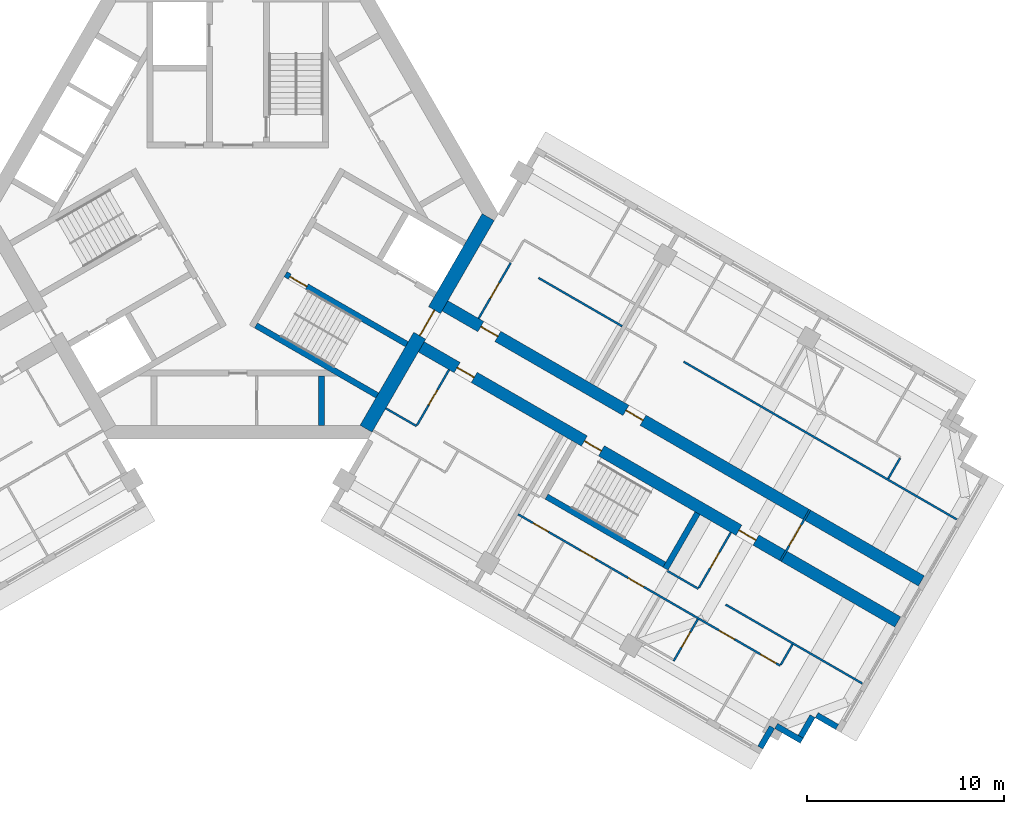
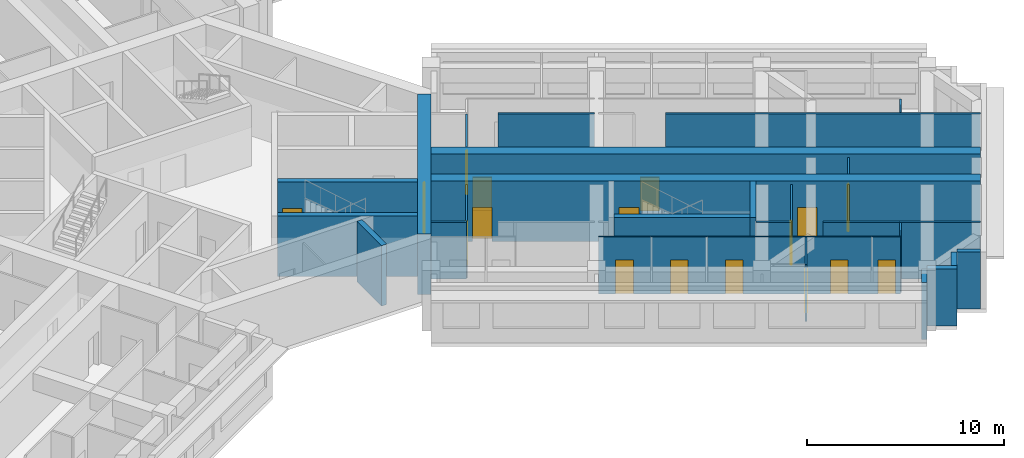
# One storey, part 5 of 11: 25 walls, 17 doors, 17 openings.
"""IFC4 building model written with IfcOpenShell, lengths in metres."""

from ifc_helpers import new_model, si_unit, direction, frame, frame_2d, origin, place, context, subcontext, project, spatial, rectangle, extrude, material, layer, layer_set, type_object, element, fill, save


model = new_model("IFC4")

# Units and contexts
model_context = context("Model", 3, precision=1e-05, world=origin(), true_north=direction((0.0, 1.0)))
body_context = subcontext(model_context, "Body", "Model", "MODEL_VIEW")
ifc_project = project(units=[si_unit("LENGTHUNIT", "METRE"), si_unit("AREAUNIT", "SQUARE_METRE"), si_unit("VOLUMEUNIT", "CUBIC_METRE"), si_unit("PLANEANGLEUNIT", "RADIAN"), si_unit("MASSUNIT", "GRAM", prefix="KILO")], contexts=[model_context])

# Site, building, storey
site_placement = place(None, origin())
site = spatial("IfcSite", under=ifc_project, at=site_placement, CompositionType="ELEMENT")
building_placement = place(site_placement, origin())
building = spatial("IfcBuilding", under=site, at=building_placement, Name="Impinga Residences", CompositionType="ELEMENT")
storey_placement = place(building_placement, frame((0.0, 0.0, 244.75)))
storey = spatial("IfcBuildingStorey", under=building, at=storey_placement, Name="L61", CompositionType="ELEMENT", Elevation=244.75)

# Wall, openings, doors
ifc_material_1 = material(Name="Concrete C60/75", Category="concrete")
ifc_layer_1 = layer(ifc_material_1, 0.60009765625)
ifc_layer_set_1 = layer_set([ifc_layer_1], Name="Concrete C60/75")
wall_type_1 = type_object("IfcWallType", Name="BW3 corridor buttress wall, L46 to L73 600", PredefinedType="SHEAR", material=ifc_layer_set_1)
wall_1_placement = place(storey_placement, frame((10.19677734375, -4.50146484375, 0.0), z_axis=(0.0, 0.0, 1.0), x_axis=(0.866026415941, -0.499998246889, 0.0)))
wall_1 = element("IfcWall", 1, at=wall_1_placement, inside=storey, type_object=wall_type_1, Name="Corridor wall BW3 EC L61", PredefinedType="SHEAR", context=body_context, shape_type="SweptSolid", body=[
    extrude(rectangle(XDim=28.25, YDim=0.60009765625, at=frame_2d((14.125, 0.0))), origin(), (0.0, 0.0, 1.0), 3.75),
])
opening_1_placement = place(wall_1_placement, frame((2.449951171875, 0.0, 0.0)))
opening_1 = element("IfcOpeningElement", 2, at=opening_1_placement, cuts=wall_1, Name="Opening D1", PredefinedType="OPENING", context=body_context, shape_type="SweptSolid", body=[
    extrude(rectangle(XDim=1.0, YDim=2.10009765625, at=frame_2d((0.5, 1.050048828125))), frame((0.0, 0.31005859375, 0.0), z_axis=(0.0, -1.0, 0.0), x_axis=(1.0, 0.0, 0.0)), (0.0, 0.0, 1.0), 0.6201171875),
])
opening_2_placement = place(wall_1_placement, frame((10.949951171875, 0.0, 0.0)))
opening_2 = element("IfcOpeningElement", 3, at=opening_2_placement, cuts=wall_1, Name="Opening D1", PredefinedType="OPENING", context=body_context, shape_type="SweptSolid", body=[
    extrude(rectangle(XDim=1.0, YDim=2.10009765625, at=frame_2d((0.5, 1.050048828125))), frame((0.0, 0.31005859375, 0.0), z_axis=(0.0, -1.0, 0.0), x_axis=(1.0, 0.0, 0.0)), (0.0, 0.0, 1.0), 0.6201171875),
])
ifc_material_2 = material(Name="Timber door set", Category="wood")
door_type_1 = type_object("IfcDoorType", Name="D1 apartment entrance door 1000x2100", OperationType="SINGLE_SWING_LEFT", PredefinedType="DOOR", material=ifc_material_2)
door_1_placement = place(opening_1_placement, origin())
door_1 = element("IfcDoor", 4, at=door_1_placement, inside=storey, type_object=door_type_1, Name="Apartment L61-EA1 entrance", OperationType="SINGLE_SWING_LEFT", OverallHeight=2.10009765625, OverallWidth=1.0, PredefinedType="DOOR", context=body_context, shape_type="SweptSolid", body=[
    extrude(rectangle(XDim=1.0, YDim=2.10009765625, at=frame_2d((0.5, 1.050048828125))), frame((0.0, 0.02490234375, 0.0), z_axis=(0.0, -1.0, 0.0), x_axis=(1.0, 0.0, 0.0)), (0.0, 0.0, 1.0), 0.050048828125),
])
fill(opening_1, door_1)
door_2_placement = place(opening_2_placement, origin())
door_2 = element("IfcDoor", 5, at=door_2_placement, inside=storey, type_object=door_type_1, Name="Apartment L61-EA2 entrance", OperationType="SINGLE_SWING_LEFT", OverallHeight=2.10009765625, OverallWidth=1.0, PredefinedType="DOOR", context=body_context, shape_type="SweptSolid", body=[
    extrude(rectangle(XDim=1.0, YDim=2.10009765625, at=frame_2d((0.5, 1.050048828125))), frame((0.0, 0.02490234375, 0.0), z_axis=(0.0, -1.0, 0.0), x_axis=(1.0, 0.0, 0.0)), (0.0, 0.0, 1.0), 0.050048828125),
])
fill(opening_2, door_2)

wall_2_placement = place(storey_placement, frame((8.996826171875, -6.580078125, 0.0), z_axis=(0.0, 0.0, 1.0), x_axis=(0.866026415941, -0.499998246889, 0.0)))
wall_2 = element("IfcWall", 6, at=wall_2_placement, inside=storey, type_object=wall_type_1, Name="Corridor wall BW3 ED L61", PredefinedType="SHEAR", context=body_context, shape_type="SweptSolid", body=[
    extrude(rectangle(XDim=28.25, YDim=0.60009765625, at=frame_2d((14.125, 0.0))), origin(), (0.0, 0.0, 1.0), 3.75),
])
opening_3_placement = place(wall_2_placement, frame((9.89990234375, 0.0, 0.0)))
opening_3 = element("IfcOpeningElement", 7, at=opening_3_placement, cuts=wall_2, Name="Opening D5", PredefinedType="OPENING", context=body_context, shape_type="SweptSolid", body=[
    extrude(rectangle(XDim=1.0, YDim=2.10009765625, at=frame_2d((0.5, 1.050048828125))), frame((0.0, 0.31005859375, 0.0), z_axis=(0.0, -1.0, 0.0), x_axis=(1.0, 0.0, 0.0)), (0.0, 0.0, 1.0), 0.6201171875),
])
opening_4_placement = place(wall_2_placement, frame((2.449951171875, 0.0, 0.0)))
opening_4 = element("IfcOpeningElement", 8, at=opening_4_placement, cuts=wall_2, Name="Opening D1", PredefinedType="OPENING", context=body_context, shape_type="SweptSolid", body=[
    extrude(rectangle(XDim=1.0, YDim=2.10009765625, at=frame_2d((0.5, 1.050048828125))), frame((0.0, 0.31005859375, 0.0), z_axis=(0.0, -1.0, 0.0), x_axis=(1.0, 0.0, 0.0)), (0.0, 0.0, 1.0), 0.6201171875),
])
opening_5_placement = place(wall_2_placement, frame((18.949951171875, 0.0, 0.0)))
opening_5 = element("IfcOpeningElement", 9, at=opening_5_placement, cuts=wall_2, Name="Opening D1", PredefinedType="OPENING", context=body_context, shape_type="SweptSolid", body=[
    extrude(rectangle(XDim=1.0, YDim=2.10009765625, at=frame_2d((0.5, 1.050048828125))), frame((0.0, 0.31005859375, 0.0), z_axis=(0.0, -1.0, 0.0), x_axis=(1.0, 0.0, 0.0)), (0.0, 0.0, 1.0), 0.6201171875),
])
door_3_placement = place(opening_4_placement, origin())
door_3 = element("IfcDoor", 10, at=door_3_placement, inside=storey, type_object=door_type_1, Name="Apartment L61-EF1 entrance", OperationType="SINGLE_SWING_LEFT", OverallHeight=2.10009765625, OverallWidth=1.0, PredefinedType="DOOR", context=body_context, shape_type="SweptSolid", body=[
    extrude(rectangle(XDim=1.0, YDim=2.10009765625, at=frame_2d((0.5, 1.050048828125))), frame((0.0, 0.02490234375, 0.0), z_axis=(0.0, -1.0, 0.0), x_axis=(1.0, 0.0, 0.0)), (0.0, 0.0, 1.0), 0.050048828125),
])
fill(opening_4, door_3)
door_4_placement = place(opening_5_placement, origin())
door_4 = element("IfcDoor", 11, at=door_4_placement, inside=storey, type_object=door_type_1, Name="Apartment L61-EF2 entrance", OperationType="SINGLE_SWING_RIGHT", OverallHeight=2.10009765625, OverallWidth=1.0, PredefinedType="DOOR", context=body_context, shape_type="SweptSolid", body=[
    extrude(rectangle(XDim=1.0, YDim=2.10009765625, at=frame_2d((0.5, 1.050048828125))), frame((0.0, 0.02490234375, 0.0), z_axis=(0.0, -1.0, 0.0), x_axis=(1.0, 0.0, 0.0)), (0.0, 0.0, 1.0), 0.050048828125),
])
fill(opening_5, door_4)
door_type_2 = type_object("IfcDoorType", Name="D5 stair door 1000x2100", OperationType="SINGLE_SWING_LEFT", PredefinedType="DOOR", material=ifc_material_2)
door_5_placement = place(opening_3_placement, origin())
door_5 = element("IfcDoor", 12, at=door_5_placement, inside=storey, type_object=door_type_2, Name="Wing stair door E", OperationType="SINGLE_SWING_LEFT", OverallHeight=2.10009765625, OverallWidth=1.0, PredefinedType="DOOR", context=body_context, shape_type="SweptSolid", body=[
    extrude(rectangle(XDim=1.0, YDim=2.10009765625, at=frame_2d((0.5, 1.050048828125))), frame((0.0, 0.02490234375, 0.0), z_axis=(0.0, -1.0, 0.0), x_axis=(1.0, 0.0, 0.0)), (0.0, 0.0, 1.0), 0.050048828125),
])
fill(opening_3, door_5)

# Wall, opening, door
ifc_material_3 = material(Name="Concrete blockwork", Category="masonry")
ifc_layer_2 = layer(ifc_material_3, 0.10009765625)
ifc_layer_set_2 = layer_set([ifc_layer_2], Name="CP1 core room partition, blockwork 100")
wall_type_2 = type_object("IfcWallType", Name="CP1 core room partition, blockwork 100", PredefinedType="PARTITIONING", material=ifc_layer_set_2)
wall_3_placement = place(storey_placement, frame((29.009765625, -15.016845703125, 0.0), z_axis=(0.0, 0.0, 1.0), x_axis=(-0.50002537861, -0.866010750942, 0.0)))
wall_3 = element("IfcWall", 13, at=wall_3_placement, inside=storey, type_object=wall_type_2, Name="Core room partition, blockwork L61:E:LNG", PredefinedType="PARTITIONING", context=body_context, shape_type="SweptSolid", body=[
    extrude(rectangle(XDim=2.999755859375, YDim=0.10009765625, at=frame_2d((1.5, 0.0))), origin(), (0.0, 0.0, 1.0), 3.530029296875),
])
opening_6_placement = place(wall_3_placement, frame((0.89990234375, 0.0, 0.0)))
opening_6 = element("IfcOpeningElement", 14, at=opening_6_placement, cuts=wall_3, Name="Opening D3", PredefinedType="OPENING", context=body_context, shape_type="SweptSolid", body=[
    extrude(rectangle(XDim=1.199951171875, YDim=2.10009765625, at=frame_2d((0.60009765625, 1.050048828125))), frame((0.0, 0.06005859375, 0.0), z_axis=(0.0, -1.0, 0.0), x_axis=(1.0, 0.0, 0.0)), (0.0, 0.0, 1.0), 0.1201171875),
])
door_type_3 = type_object("IfcDoorType", Name="D3 room door, leaf and a half 1200x2100", OperationType="DOUBLE_SWING_LEFT", PredefinedType="DOOR", material=ifc_material_2)
door_6_placement = place(opening_6_placement, origin())
door_6 = element("IfcDoor", 15, at=door_6_placement, inside=storey, type_object=door_type_3, Name="Residents' lounge door E", OperationType="DOUBLE_SWING_LEFT", OverallHeight=2.10009765625, OverallWidth=1.199951171875, PredefinedType="DOOR", context=body_context, shape_type="SweptSolid", body=[
    extrude(rectangle(XDim=1.199951171875, YDim=2.10009765625, at=frame_2d((0.60009765625, 1.050048828125))), frame((0.0, 0.02490234375, 0.0), z_axis=(0.0, -1.0, 0.0), x_axis=(1.0, 0.0, 0.0)), (0.0, 0.0, 1.0), 0.050048828125),
])
fill(opening_6, door_6)

# Walls
ifc_material_4 = material(Name="Terracotta rainscreen on blockwork", Category="masonry")
ifc_layer_3 = layer(ifc_material_4, 0.300048828125)
ifc_layer_set_3 = layer_set([ifc_layer_3], Name="EW1 external wall, terracotta rainscreen on blockwork 300")
wall_type_3 = type_object("IfcWallType", Name="EW1 external wall, terracotta rainscreen on blockwork 300", PredefinedType="SOLIDWALL", material=ifc_layer_set_3)
wall_4_placement = place(storey_placement, frame((30.38720703125, -26.031005859375, 0.0), z_axis=(0.0, 0.0, 1.0), x_axis=(-0.866059708757, 0.499940577336, 0.0)))
element("IfcWall", 16, at=wall_4_placement, inside=storey, type_object=wall_type_3, Name="External wall EW1 L61", PredefinedType="SOLIDWALL", context=body_context, shape_type="SweptSolid", body=[
    extrude(rectangle(XDim=1.195068359375, YDim=0.300048828125, at=frame_2d((0.59765625, 0.0))), origin(), (0.0, 0.0, 1.0), 3.530029296875),
])
wall_5_placement = place(storey_placement, frame((29.14306640625, -25.48583984375, 0.0), z_axis=(0.0, 0.0, 1.0), x_axis=(-0.500033551112, -0.866006032174, 0.0)))
element("IfcWall", 17, at=wall_5_placement, inside=storey, type_object=wall_type_3, Name="External wall EW1 L61", PredefinedType="SOLIDWALL", context=body_context, shape_type="SweptSolid", body=[
    extrude(rectangle(XDim=1.2001953125, YDim=0.300048828125, at=frame_2d((0.60009765625, 0.0))), origin(), (0.0, 0.0, 1.0), 3.530029296875),
])
wall_6_placement = place(storey_placement, frame((28.597900390625, -26.72998046875, 0.0), z_axis=(0.0, 0.0, 1.0), x_axis=(-0.866031096941, 0.499990139034, 0.0)))
element("IfcWall", 18, at=wall_6_placement, inside=storey, type_object=wall_type_3, Name="External wall EW1 L61", PredefinedType="SOLIDWALL", context=body_context, shape_type="SweptSolid", body=[
    extrude(rectangle(XDim=1.5, YDim=0.300048828125, at=frame_2d((0.75, 0.0))), origin(), (0.0, 0.0, 1.0), 3.530029296875),
])
wall_7_placement = place(storey_placement, frame((27.091552734375, -26.039306640625, 0.0), z_axis=(0.0, 0.0, 1.0), x_axis=(-0.500093796661, -0.865971243484, 0.0)))
element("IfcWall", 19, at=wall_7_placement, inside=storey, type_object=wall_type_3, Name="External wall EW1 L61", PredefinedType="SOLIDWALL", context=body_context, shape_type="SweptSolid", body=[
    extrude(rectangle(XDim=1.195068359375, YDim=0.300048828125, at=frame_2d((0.59765625, 0.0))), origin(), (0.0, 0.0, 1.0), 3.530029296875),
])
ifc_material_5 = material(Name="Gypsum board on steel studs", Category="steel")
ifc_layer_4 = layer(ifc_material_5, 0.10009765625)
ifc_layer_set_4 = layer_set([ifc_layer_4], Name="Gypsum board on steel studs")
wall_type_4 = type_object("IfcWallType", Name="IP1 partition 100", PredefinedType="PARTITIONING", material=ifc_layer_set_4)
wall_8_placement = place(storey_placement, frame((15.244384765625, -3.2587890625, 0.0), z_axis=(0.0, 0.0, 1.0), x_axis=(0.866036242063, -0.49998122708, 0.0)))
element("IfcWall", 20, at=wall_8_placement, inside=storey, type_object=wall_type_4, Name="Partition L61-EA1:DIV1", PredefinedType="PARTITIONING", context=body_context, shape_type="SweptSolid", body=[
    extrude(rectangle(XDim=4.900146484375, YDim=0.10009765625, at=frame_2d((2.4501953125, 0.0))), origin(), (0.0, 0.0, 1.0), 3.530029296875),
])

# Wall, opening, door
wall_9_placement = place(storey_placement, frame((12.208740234375, -5.316650390625, 0.0), z_axis=(0.0, 0.0, 1.0), x_axis=(0.500017246033, 0.866015446554, 0.0)))
wall_9 = element("IfcWall", 21, at=wall_9_placement, inside=storey, type_object=wall_type_4, Name="Partition L61-EA1:IB1", PredefinedType="PARTITIONING", context=body_context, shape_type="SweptSolid", body=[
    extrude(rectangle(XDim=3.25, YDim=0.10009765625, at=frame_2d((1.625, 0.0))), origin(), (0.0, 0.0, 1.0), 3.530029296875),
])
opening_7_placement = place(wall_9_placement, frame((1.175048828125, 0.0, 0.0)))
opening_7 = element("IfcOpeningElement", 22, at=opening_7_placement, cuts=wall_9, Name="Opening D2", PredefinedType="OPENING", context=body_context, shape_type="SweptSolid", body=[
    extrude(rectangle(XDim=0.89990234375, YDim=2.10009765625, at=frame_2d((0.449951171875, 1.050048828125))), frame((0.0, 0.06005859375, 0.0), z_axis=(0.0, -1.0, 0.0), x_axis=(1.0, 0.0, 0.0)), (0.0, 0.0, 1.0), 0.1201171875),
])
door_type_4 = type_object("IfcDoorType", Name="D2 internal door 900x2100", OperationType="SINGLE_SWING_LEFT", PredefinedType="DOOR", material=ifc_material_2)
door_7_placement = place(opening_7_placement, origin())
door_7 = element("IfcDoor", 23, at=door_7_placement, inside=storey, type_object=door_type_4, Name="Apartment L61-EA1 bathroom door", OperationType="SINGLE_SWING_LEFT", OverallHeight=2.10009765625, OverallWidth=0.89990234375, PredefinedType="DOOR", context=body_context, shape_type="SweptSolid", body=[
    extrude(rectangle(XDim=0.89990234375, YDim=2.10009765625, at=frame_2d((0.449951171875, 1.050048828125))), frame((0.0, 0.02490234375, 0.0), z_axis=(0.0, -1.0, 0.0), x_axis=(1.0, 0.0, 0.0)), (0.0, 0.0, 1.0), 0.050048828125),
])
fill(opening_7, door_7)

# Walls
wall_10_placement = place(storey_placement, frame((22.605712890625, -7.5087890625, 0.0), z_axis=(0.0, 0.0, 1.0), x_axis=(0.866026010844, -0.49999894854, 0.0)))
element("IfcWall", 24, at=wall_10_placement, inside=storey, type_object=wall_type_4, Name="Partition L61-EA2:DIV1", PredefinedType="PARTITIONING", context=body_context, shape_type="SweptSolid", body=[
    extrude(rectangle(XDim=16.0, YDim=0.10009765625, at=frame_2d((8.0, 0.0))), origin(), (0.0, 0.0, 1.0), 3.530029296875),
])
wall_11_placement = place(storey_placement, frame((32.979736328125, -13.4404296875, 0.0), z_axis=(0.0, 0.0, 1.0), x_axis=(0.499969057507, 0.866043267704, 0.0)))
element("IfcWall", 25, at=wall_11_placement, inside=storey, type_object=wall_type_4, Name="Partition L61-EA2:SE1", PredefinedType="PARTITIONING", context=body_context, shape_type="SweptSolid", body=[
    extrude(rectangle(XDim=1.19970703125, YDim=0.10009765625, at=frame_2d((0.599853515625, 0.0))), origin(), (0.0, 0.0, 1.0), 3.530029296875),
])
wall_12_placement = place(storey_placement, frame((7.5, -9.872802734375, 0.0), z_axis=(0.0, 0.0, 1.0), x_axis=(0.866047807691, -0.499961193289, 0.0)))
element("IfcWall", 26, at=wall_12_placement, inside=storey, type_object=wall_type_4, Name="Partition L61-EF1:DIV0", PredefinedType="PARTITIONING", context=body_context, shape_type="SweptSolid", body=[
    extrude(rectangle(XDim=1.800048828125, YDim=0.10009765625, at=frame_2d((0.89990234375, 0.0))), origin(), (0.0, 0.0, 1.0), 3.530029296875),
])

# Wall, opening, door
wall_13_placement = place(storey_placement, frame((10.708740234375, -7.914794921875, 0.0), z_axis=(0.0, 0.0, 1.0), x_axis=(-0.499984717929, -0.866034226713, 0.0)))
wall_13 = element("IfcWall", 27, at=wall_13_placement, inside=storey, type_object=wall_type_4, Name="Partition L61-EF1:IB1", PredefinedType="PARTITIONING", context=body_context, shape_type="SweptSolid", body=[
    extrude(rectangle(XDim=3.25, YDim=0.10009765625, at=frame_2d((1.625, 0.0))), origin(), (0.0, 0.0, 1.0), 3.530029296875),
])
opening_8_placement = place(wall_13_placement, frame((1.175048828125, 0.0, 0.0)))
opening_8 = element("IfcOpeningElement", 28, at=opening_8_placement, cuts=wall_13, Name="Opening D2", PredefinedType="OPENING", context=body_context, shape_type="SweptSolid", body=[
    extrude(rectangle(XDim=0.89990234375, YDim=2.10009765625, at=frame_2d((0.449951171875, 1.050048828125))), frame((0.0, 0.06005859375, 0.0), z_axis=(0.0, -1.0, 0.0), x_axis=(1.0, 0.0, 0.0)), (0.0, 0.0, 1.0), 0.1201171875),
])
door_8_placement = place(opening_8_placement, origin())
door_8 = element("IfcDoor", 29, at=door_8_placement, inside=storey, type_object=door_type_4, Name="Apartment L61-EF1 bathroom door", OperationType="SINGLE_SWING_LEFT", OverallHeight=2.10009765625, OverallWidth=0.89990234375, PredefinedType="DOOR", context=body_context, shape_type="SweptSolid", body=[
    extrude(rectangle(XDim=0.89990234375, YDim=2.10009765625, at=frame_2d((0.449951171875, 1.050048828125))), frame((0.0, 0.02490234375, 0.0), z_axis=(0.0, -1.0, 0.0), x_axis=(1.0, 0.0, 0.0)), (0.0, 0.0, 1.0), 0.050048828125),
])
fill(opening_8, door_8)

# Walls
wall_14_placement = place(storey_placement, frame((21.789306640625, -18.122802734375, 0.0), z_axis=(0.0, 0.0, 1.0), x_axis=(0.866047807691, -0.499961193289, 0.0)))
element("IfcWall", 30, at=wall_14_placement, inside=storey, type_object=wall_type_4, Name="Partition L61-EF2:DIV1", PredefinedType="PARTITIONING", context=body_context, shape_type="SweptSolid", body=[
    extrude(rectangle(XDim=1.800048828125, YDim=0.10009765625, at=frame_2d((0.89990234375, 0.0))), origin(), (0.0, 0.0, 1.0), 3.530029296875),
])
wall_15_placement = place(storey_placement, frame((24.73388671875, -19.82275390625, 0.0), z_axis=(0.0, 0.0, 1.0), x_axis=(0.866026010844, -0.49999894854, 0.0)))
element("IfcWall", 31, at=wall_15_placement, inside=storey, type_object=wall_type_4, Name="Partition L61-EF2:DIV2", PredefinedType="PARTITIONING", context=body_context, shape_type="SweptSolid", body=[
    extrude(rectangle(XDim=8.0, YDim=0.10009765625, at=frame_2d((4.0, 0.0))), origin(), (0.0, 0.0, 1.0), 3.530029296875),
])

# Wall, openings, doors
wall_16_placement = place(storey_placement, frame((14.211181640625, -15.24853515625, 0.0), z_axis=(0.0, 0.0, 1.0), x_axis=(0.866023490266, -0.500003314297, 0.0)))
wall_16 = element("IfcWall", 32, at=wall_16_placement, inside=storey, type_object=wall_type_4, Name="Partition L61-EF2:STRIP", PredefinedType="PARTITIONING", context=body_context, shape_type="SweptSolid", body=[
    extrude(rectangle(XDim=15.35009765625, YDim=0.10009765625, at=frame_2d((7.675048828125, 0.0))), origin(), (0.0, 0.0, 1.0), 3.530029296875),
])
opening_9_placement = place(wall_16_placement, frame((0.875, 0.0, 0.0)))
opening_9 = element("IfcOpeningElement", 33, at=opening_9_placement, cuts=wall_16, Name="Opening D2", PredefinedType="OPENING", context=body_context, shape_type="SweptSolid", body=[
    extrude(rectangle(XDim=0.89990234375, YDim=2.10009765625, at=frame_2d((0.449951171875, 1.050048828125))), frame((0.0, 0.06005859375, 0.0), z_axis=(0.0, -1.0, 0.0), x_axis=(1.0, 0.0, 0.0)), (0.0, 0.0, 1.0), 0.1201171875),
])
opening_10_placement = place(wall_16_placement, frame((3.64990234375, 0.0, 0.0)))
opening_10 = element("IfcOpeningElement", 34, at=opening_10_placement, cuts=wall_16, Name="Opening D2", PredefinedType="OPENING", context=body_context, shape_type="SweptSolid", body=[
    extrude(rectangle(XDim=0.89990234375, YDim=2.10009765625, at=frame_2d((0.449951171875, 1.050048828125))), frame((0.0, 0.06005859375, 0.0), z_axis=(0.0, -1.0, 0.0), x_axis=(1.0, 0.0, 0.0)), (0.0, 0.0, 1.0), 0.1201171875),
])
opening_11_placement = place(wall_16_placement, frame((6.449951171875, 0.0, 0.0)))
opening_11 = element("IfcOpeningElement", 35, at=opening_11_placement, cuts=wall_16, Name="Opening D2", PredefinedType="OPENING", context=body_context, shape_type="SweptSolid", body=[
    extrude(rectangle(XDim=0.89990234375, YDim=2.10009765625, at=frame_2d((0.449951171875, 1.050048828125))), frame((0.0, 0.06005859375, 0.0), z_axis=(0.0, -1.0, 0.0), x_axis=(1.0, 0.0, 0.0)), (0.0, 0.0, 1.0), 0.1201171875),
])
opening_12_placement = place(wall_16_placement, frame((11.77490234375, 0.0, 0.0)))
opening_12 = element("IfcOpeningElement", 36, at=opening_12_placement, cuts=wall_16, Name="Opening D2", PredefinedType="OPENING", context=body_context, shape_type="SweptSolid", body=[
    extrude(rectangle(XDim=0.89990234375, YDim=2.10009765625, at=frame_2d((0.449951171875, 1.050048828125))), frame((0.0, 0.06005859375, 0.0), z_axis=(0.0, -1.0, 0.0), x_axis=(1.0, 0.0, 0.0)), (0.0, 0.0, 1.0), 0.1201171875),
])
opening_13_placement = place(wall_16_placement, frame((14.199951171875, 0.0, 0.0)))
opening_13 = element("IfcOpeningElement", 37, at=opening_13_placement, cuts=wall_16, Name="Opening D2", PredefinedType="OPENING", context=body_context, shape_type="SweptSolid", body=[
    extrude(rectangle(XDim=0.89990234375, YDim=2.10009765625, at=frame_2d((0.449951171875, 1.050048828125))), frame((0.0, 0.06005859375, 0.0), z_axis=(0.0, -1.0, 0.0), x_axis=(1.0, 0.0, 0.0)), (0.0, 0.0, 1.0), 0.1201171875),
])
door_9_placement = place(opening_9_placement, origin())
door_9 = element("IfcDoor", 38, at=door_9_placement, inside=storey, type_object=door_type_4, Name="Apartment L61-EF2 room door", OperationType="SINGLE_SWING_LEFT", OverallHeight=2.10009765625, OverallWidth=0.89990234375, PredefinedType="DOOR", context=body_context, shape_type="SweptSolid", body=[
    extrude(rectangle(XDim=0.89990234375, YDim=2.10009765625, at=frame_2d((0.449951171875, 1.050048828125))), frame((0.0, 0.02490234375, 0.0), z_axis=(0.0, -1.0, 0.0), x_axis=(1.0, 0.0, 0.0)), (0.0, 0.0, 1.0), 0.050048828125),
])
fill(opening_9, door_9)
door_10_placement = place(opening_10_placement, origin())
door_10 = element("IfcDoor", 39, at=door_10_placement, inside=storey, type_object=door_type_4, Name="Apartment L61-EF2 room door", OperationType="SINGLE_SWING_LEFT", OverallHeight=2.10009765625, OverallWidth=0.89990234375, PredefinedType="DOOR", context=body_context, shape_type="SweptSolid", body=[
    extrude(rectangle(XDim=0.89990234375, YDim=2.10009765625, at=frame_2d((0.449951171875, 1.050048828125))), frame((0.0, 0.02490234375, 0.0), z_axis=(0.0, -1.0, 0.0), x_axis=(1.0, 0.0, 0.0)), (0.0, 0.0, 1.0), 0.050048828125),
])
fill(opening_10, door_10)
door_11_placement = place(opening_11_placement, origin())
door_11 = element("IfcDoor", 40, at=door_11_placement, inside=storey, type_object=door_type_4, Name="Apartment L61-EF2 room door", OperationType="SINGLE_SWING_LEFT", OverallHeight=2.10009765625, OverallWidth=0.89990234375, PredefinedType="DOOR", context=body_context, shape_type="SweptSolid", body=[
    extrude(rectangle(XDim=0.89990234375, YDim=2.10009765625, at=frame_2d((0.449951171875, 1.050048828125))), frame((0.0, 0.02490234375, 0.0), z_axis=(0.0, -1.0, 0.0), x_axis=(1.0, 0.0, 0.0)), (0.0, 0.0, 1.0), 0.050048828125),
])
fill(opening_11, door_11)
door_12_placement = place(opening_12_placement, origin())
door_12 = element("IfcDoor", 41, at=door_12_placement, inside=storey, type_object=door_type_4, Name="Apartment L61-EF2 room door", OperationType="SINGLE_SWING_RIGHT", OverallHeight=2.10009765625, OverallWidth=0.89990234375, PredefinedType="DOOR", context=body_context, shape_type="SweptSolid", body=[
    extrude(rectangle(XDim=0.89990234375, YDim=2.10009765625, at=frame_2d((0.449951171875, 1.050048828125))), frame((0.0, 0.02490234375, 0.0), z_axis=(0.0, -1.0, 0.0), x_axis=(1.0, 0.0, 0.0)), (0.0, 0.0, 1.0), 0.050048828125),
])
fill(opening_12, door_12)
door_13_placement = place(opening_13_placement, origin())
door_13 = element("IfcDoor", 42, at=door_13_placement, inside=storey, type_object=door_type_4, Name="Apartment L61-EF2 room door", OperationType="SINGLE_SWING_RIGHT", OverallHeight=2.10009765625, OverallWidth=0.89990234375, PredefinedType="DOOR", context=body_context, shape_type="SweptSolid", body=[
    extrude(rectangle(XDim=0.89990234375, YDim=2.10009765625, at=frame_2d((0.449951171875, 1.050048828125))), frame((0.0, 0.02490234375, 0.0), z_axis=(0.0, -1.0, 0.0), x_axis=(1.0, 0.0, 0.0)), (0.0, 0.0, 1.0), 0.050048828125),
])
fill(opening_13, door_13)

# Wall
wall_17_placement = place(storey_placement, frame((28.129638671875, -21.841064453125, 0.0), z_axis=(0.0, 0.0, 1.0), x_axis=(-0.499969057507, -0.866043267704, 0.0)))
element("IfcWall", 43, at=wall_17_placement, inside=storey, type_object=wall_type_4, Name="Partition L61-EF2:SE1", PredefinedType="PARTITIONING", context=body_context, shape_type="SweptSolid", body=[
    extrude(rectangle(XDim=1.19970703125, YDim=0.10009765625, at=frame_2d((0.599853515625, 0.0))), origin(), (0.0, 0.0, 1.0), 3.530029296875),
])

# Wall, opening, door
wall_18_placement = place(storey_placement, frame((24.998291015625, -16.164794921875, 0.0), z_axis=(0.0, 0.0, 1.0), x_axis=(-0.499984717929, -0.866034226713, 0.0)))
wall_18 = element("IfcWall", 44, at=wall_18_placement, inside=storey, type_object=wall_type_4, Name="Partition L61-EF2:IB1", PredefinedType="PARTITIONING", context=body_context, shape_type="SweptSolid", body=[
    extrude(rectangle(XDim=3.25, YDim=0.10009765625, at=frame_2d((1.625, 0.0))), origin(), (0.0, 0.0, 1.0), 3.530029296875),
])
opening_14_placement = place(wall_18_placement, frame((1.175048828125, 0.0, 0.0)))
opening_14 = element("IfcOpeningElement", 45, at=opening_14_placement, cuts=wall_18, Name="Opening D2", PredefinedType="OPENING", context=body_context, shape_type="SweptSolid", body=[
    extrude(rectangle(XDim=0.89990234375, YDim=2.10009765625, at=frame_2d((0.449951171875, 1.050048828125))), frame((0.0, 0.06005859375, 0.0), z_axis=(0.0, -1.0, 0.0), x_axis=(1.0, 0.0, 0.0)), (0.0, 0.0, 1.0), 0.1201171875),
])
door_14_placement = place(opening_14_placement, origin())
door_14 = element("IfcDoor", 46, at=door_14_placement, inside=storey, type_object=door_type_4, Name="Apartment L61-EF2 bathroom door", OperationType="SINGLE_SWING_LEFT", OverallHeight=2.10009765625, OverallWidth=0.89990234375, PredefinedType="DOOR", context=body_context, shape_type="SweptSolid", body=[
    extrude(rectangle(XDim=0.89990234375, YDim=2.10009765625, at=frame_2d((0.449951171875, 1.050048828125))), frame((0.0, 0.02490234375, 0.0), z_axis=(0.0, -1.0, 0.0), x_axis=(1.0, 0.0, 0.0)), (0.0, 0.0, 1.0), 0.050048828125),
])
fill(opening_14, door_14)

wall_19_placement = place(storey_placement, frame((23.32275390625, -20.56689453125, 0.0), z_axis=(0.0, 0.0, 1.0), x_axis=(-0.499987006516, -0.866032905446, 0.0)))
wall_19 = element("IfcWall", 47, at=wall_19_placement, inside=storey, type_object=wall_type_4, Name="Partition L61-EF2:EN1", PredefinedType="PARTITIONING", context=body_context, shape_type="SweptSolid", body=[
    extrude(rectangle(XDim=2.44970703125, YDim=0.10009765625, at=frame_2d((1.224853515625, 0.0))), origin(), (0.0, 0.0, 1.0), 3.530029296875),
])
opening_15_placement = place(wall_19_placement, frame((0.75, 0.0, 0.0)))
opening_15 = element("IfcOpeningElement", 48, at=opening_15_placement, cuts=wall_19, Name="Opening D2", PredefinedType="OPENING", context=body_context, shape_type="SweptSolid", body=[
    extrude(rectangle(XDim=0.89990234375, YDim=2.10009765625, at=frame_2d((0.449951171875, 1.050048828125))), frame((0.0, 0.06005859375, 0.0), z_axis=(0.0, -1.0, 0.0), x_axis=(1.0, 0.0, 0.0)), (0.0, 0.0, 1.0), 0.1201171875),
])
door_15_placement = place(opening_15_placement, origin())
door_15 = element("IfcDoor", 49, at=door_15_placement, inside=storey, type_object=door_type_4, Name="Apartment L61-EF2 en-suite door", OperationType="SINGLE_SWING_LEFT", OverallHeight=2.10009765625, OverallWidth=0.89990234375, PredefinedType="DOOR", context=body_context, shape_type="SweptSolid", body=[
    extrude(rectangle(XDim=0.89990234375, YDim=2.10009765625, at=frame_2d((0.449951171875, 1.050048828125))), frame((0.0, 0.02490234375, 0.0), z_axis=(0.0, -1.0, 0.0), x_axis=(1.0, 0.0, 0.0)), (0.0, 0.0, 1.0), 0.050048828125),
])
fill(opening_15, door_15)

# Walls
ifc_layer_5 = layer(ifc_material_1, 0.300048828125)
ifc_layer_set_5 = layer_set([ifc_layer_5], Name="Concrete C60/75")
wall_type_5 = type_object("IfcWallType", Name="SE1 wing stair enclosure wall 300", PredefinedType="SOLIDWALL", material=ifc_layer_set_5)
wall_20_placement = place(storey_placement, frame((23.3095703125, -15.189697265625, 0.0), z_axis=(0.0, 0.0, 1.0), x_axis=(-0.499984717929, -0.866034226713, 0.0)))
element("IfcWall", 50, at=wall_20_placement, inside=storey, type_object=wall_type_5, Name="Stair enclosure wall SE1 E END1 L61", PredefinedType="SOLIDWALL", context=body_context, shape_type="SweptSolid", body=[
    extrude(rectangle(XDim=3.25, YDim=0.300048828125, at=frame_2d((1.625, 0.0))), origin(), (0.0, 0.0, 1.0), 3.75),
])
wall_21_placement = place(storey_placement, frame((15.654052734375, -14.349365234375, 0.0), z_axis=(0.0, 0.0, 1.0), x_axis=(0.866013532718, -0.500020560727, 0.0)))
element("IfcWall", 51, at=wall_21_placement, inside=storey, type_object=wall_type_5, Name="Stair enclosure wall SE1 E OUT L61", PredefinedType="SOLIDWALL", context=body_context, shape_type="SweptSolid", body=[
    extrude(rectangle(XDim=6.900146484375, YDim=0.300048828125, at=frame_2d((3.4501953125, 0.0))), origin(), (0.0, 0.0, 1.0), 3.75),
])

# Wall, opening, door
ifc_layer_6 = layer(ifc_material_1, 0.699951171875)
ifc_layer_set_6 = layer_set([ifc_layer_6], Name="Concrete C60/75")
wall_type_6 = type_object("IfcWallType", Name="SW3 core wall 700", PredefinedType="SHEAR", material=ifc_layer_set_6)
wall_22_placement = place(storey_placement, frame((12.69482421875, -0.175048828125, 0.0), z_axis=(0.0, 0.0, 1.0), x_axis=(-0.499999875397, -0.866025475724, 0.0)))
wall_22 = element("IfcWall", 52, at=wall_22_placement, inside=storey, type_object=wall_type_6, Name="Core wall SW3 E:FACE L61", PredefinedType="SHEAR", context=body_context, shape_type="SweptSolid", body=[
    extrude(rectangle(XDim=12.3916015625, YDim=0.699951171875, at=frame_2d((6.19580078125, 0.0))), origin(), (0.0, 0.0, 1.0), 3.75),
])
opening_16_placement = place(wall_22_placement, frame((5.44580078125, 0.0, 0.0)))
opening_16 = element("IfcOpeningElement", 53, at=opening_16_placement, cuts=wall_22, Name="Opening D4", PredefinedType="OPENING", context=body_context, shape_type="SweptSolid", body=[
    extrude(rectangle(XDim=1.5, YDim=2.10009765625, at=frame_2d((0.75, 1.050048828125))), frame((0.0, 0.35986328125, 0.0), z_axis=(0.0, -1.0, 0.0), x_axis=(1.0, 0.0, 0.0)), (0.0, 0.0, 1.0), 0.719970703125),
])
door_type_5 = type_object("IfcDoorType", Name="D4 lobby door pair 1500x2100", OperationType="DOUBLE_DOOR_DOUBLE_SWING", PredefinedType="DOOR", material=ifc_material_2)
door_16_placement = place(opening_16_placement, origin())
door_16 = element("IfcDoor", 54, at=door_16_placement, inside=storey, type_object=door_type_5, Name="Lobby door E", OperationType="DOUBLE_DOOR_DOUBLE_SWING", OverallHeight=2.10009765625, OverallWidth=1.5, PredefinedType="DOOR", context=body_context, shape_type="SweptSolid", body=[
    extrude(rectangle(XDim=1.5, YDim=2.10009765625, at=frame_2d((0.75, 1.050048828125))), frame((0.0, 0.02490234375, 0.0), z_axis=(0.0, -1.0, 0.0), x_axis=(1.0, 0.0, 0.0)), (0.0, 0.0, 1.0), 0.050048828125),
])
fill(opening_16, door_16)

ifc_material_6 = material(Name="Concrete C70/85", Category="concrete")
ifc_layer_7 = layer(ifc_material_6, 0.300048828125)
ifc_layer_set_7 = layer_set([ifc_layer_7], Name="Concrete C70/85")
wall_type_7 = type_object("IfcWallType", Name="SW5 core inner wall, stairs, shafts and lobbies 300", PredefinedType="SHEAR", material=ifc_layer_set_7)
wall_23_placement = place(storey_placement, frame((2.418701171875, -3.07080078125, 0.0), z_axis=(0.0, 0.0, 1.0), x_axis=(0.866025859768, -0.499999210213, 0.0)))
wall_23 = element("IfcWall", 55, at=wall_23_placement, inside=storey, type_object=wall_type_7, Name="Core wall SW5 E:ST-IN L61", PredefinedType="SHEAR", context=body_context, shape_type="SweptSolid", body=[
    extrude(rectangle(XDim=7.1015625, YDim=0.300048828125, at=frame_2d((3.55078125, 0.0))), origin(), (0.0, 0.0, 1.0), 3.75),
])
opening_17_placement = place(wall_23_placement, frame((0.25, 0.0, 0.0)))
opening_17 = element("IfcOpeningElement", 56, at=opening_17_placement, cuts=wall_23, Name="Opening D5", PredefinedType="OPENING", context=body_context, shape_type="SweptSolid", body=[
    extrude(rectangle(XDim=1.0, YDim=2.10009765625, at=frame_2d((0.5, 1.050048828125))), frame((0.0, 0.159912109375, 0.0), z_axis=(0.0, -1.0, 0.0), x_axis=(1.0, 0.0, 0.0)), (0.0, 0.0, 1.0), 0.320068359375),
])
door_17_placement = place(opening_17_placement, origin())
door_17 = element("IfcDoor", 57, at=door_17_placement, inside=storey, type_object=door_type_2, Name="Stair door E", OperationType="SINGLE_SWING_LEFT", OverallHeight=2.10009765625, OverallWidth=1.0, PredefinedType="DOOR", context=body_context, shape_type="SweptSolid", body=[
    extrude(rectangle(XDim=1.0, YDim=2.10009765625, at=frame_2d((0.5, 1.050048828125))), frame((0.0, 0.02490234375, 0.0), z_axis=(0.0, -1.0, 0.0), x_axis=(1.0, 0.0, 0.0)), (0.0, 0.0, 1.0), 0.050048828125),
])
fill(opening_17, door_17)

# Walls
wall_24_placement = place(storey_placement, frame((0.918701171875, -5.668701171875, 0.0), z_axis=(0.0, 0.0, 1.0), x_axis=(0.866025859768, -0.499999210213, 0.0)))
element("IfcWall", 58, at=wall_24_placement, inside=storey, type_object=wall_type_7, Name="Core wall SW5 E:ST-OUT L61", PredefinedType="SHEAR", context=body_context, shape_type="SweptSolid", body=[
    extrude(rectangle(XDim=7.1015625, YDim=0.300048828125, at=frame_2d((3.55078125, 0.0))), origin(), (0.0, 0.0, 1.0), 3.75),
])
wall_25_placement = place(storey_placement, frame((4.25, -8.2314453125, 0.0), z_axis=(0.0, 0.0, 1.0), x_axis=(0.0, -1.0, 0.0)))
element("IfcWall", 59, at=wall_25_placement, inside=storey, type_object=wall_type_7, Name="Core wall SW5 N:BANK-L L61", PredefinedType="SHEAR", context=body_context, shape_type="SweptSolid", body=[
    extrude(rectangle(XDim=2.5, YDim=0.300048828125, at=frame_2d((1.25, 0.0))), origin(), (0.0, 0.0, 1.0), 3.75),
])

save(model, "model.ifc")
